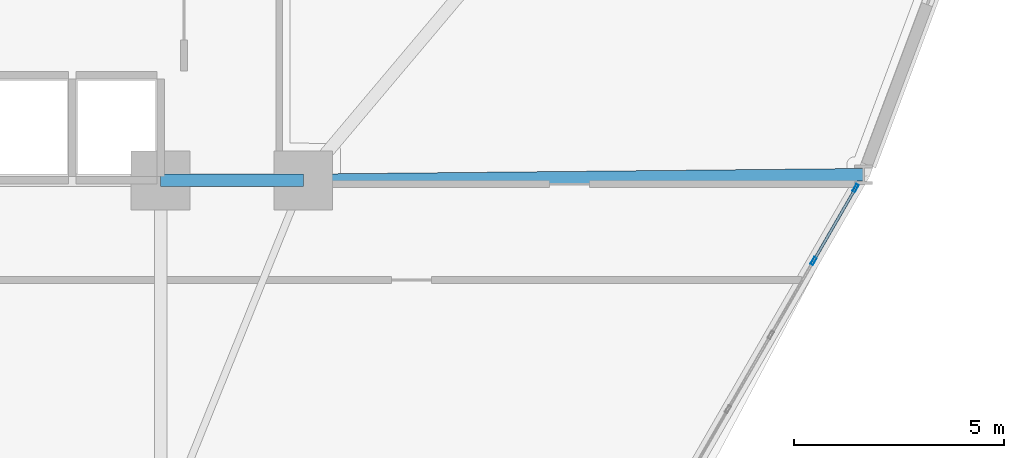
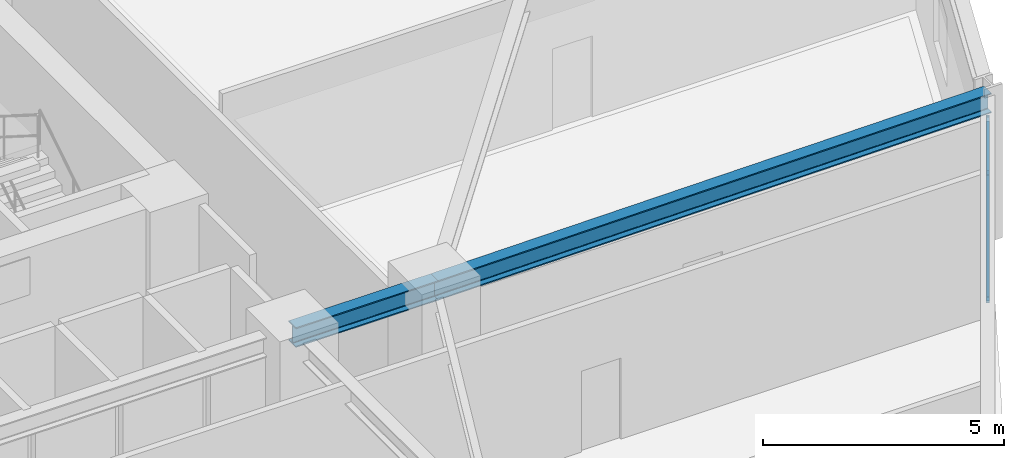
# One storey, part 8 of 20: 5 members, 2 beams, 1 element without a shape of its own.
"""IFC4 building model written with IfcOpenShell, lengths in metres."""

from ifc_helpers import new_model, si_unit, derived_unit, direction, frame, origin, origin_2d, place, context, subcontext, project, spatial, hollow_rectangle, i_section, extrude, source, transform, mapped, material, layer, layer_set, material_profile, profile_set, type_object, element, aggregate, save


model = new_model("IFC4")

# Units and contexts
model_context = context("Model", 3, precision=1e-05, world=origin(), true_north=direction((0.0, 1.0)))
body_context = subcontext(model_context, "Body", "Model", "MODEL_VIEW")
ifc_project = project(units=[si_unit("LENGTHUNIT", "METRE"), si_unit("AREAUNIT", "SQUARE_METRE"), si_unit("VOLUMEUNIT", "CUBIC_METRE"), si_unit("PLANEANGLEUNIT", "RADIAN"), si_unit("MASSUNIT", "GRAM", prefix="KILO"), derived_unit("THERMALTRANSMITTANCEUNIT", [(si_unit("POWERUNIT", "WATT"), 1), (si_unit("LENGTHUNIT", "METRE"), -2), (si_unit("THERMODYNAMICTEMPERATUREUNIT", "KELVIN"), -1)])], contexts=[model_context])

# Site, building, storey
site_placement = place(None, origin())
site = spatial("IfcSite", under=ifc_project, at=site_placement, CompositionType="ELEMENT")
building_placement = place(site_placement, origin())
building = spatial("IfcBuilding", under=site, at=building_placement, Name="Korsvarv Bourse and Concert Hall", CompositionType="ELEMENT")
storey_placement = place(building_placement, frame((0.0, 0.0, 79.5)))
storey = spatial("IfcBuildingStorey", under=building, at=storey_placement, Name="L19", CompositionType="ELEMENT", Elevation=79.5)

# Beams
ifc_material_1 = material(Name="Steel S355", Category="steel")
ifc_material_profile_1 = material_profile(ifc_material_1, i_section(OverallWidth=0.300048828125, OverallDepth=0.5, WebThickness=0.014404296875, FlangeThickness=0.028076171875, FilletRadius=0.02392578125, at=origin_2d()), Name="HEB 500")
ifc_profile_set_1 = profile_set([ifc_material_profile_1], Name="Steel S355")
beam_type = type_object("IfcBeamType", Name="BM-HEB500", PredefinedType="BEAM", material=ifc_profile_set_1)
shared_shape_1 = source(origin(), body_context, "Body", "SweptSolid", [
    extrude(i_section(OverallWidth=0.300048828125, OverallDepth=0.5, WebThickness=0.014404296875, FlangeThickness=0.028076171875, FilletRadius=0.02392578125, at=origin_2d()), origin(), (0.0, 0.0, 1.0), 3.400146484375),
])
beam_1_placement = place(storey_placement, frame((44.39990234375, 32.39990234375, 3.429931640625), z_axis=(1.0, 0.0, 0.0), x_axis=(0.0, 1.0, 0.0)))
element("IfcBeam", 1, at=beam_1_placement, inside=storey, type_object=beam_type, Name="L19 beam B-07", PredefinedType="BEAM", context=body_context, shape_type="MappedRepresentation", body=[
    mapped(shared_shape_1, transform((0.0, 0.0, 0.0), scale=1.0)),
])
shared_shape_2 = source(origin(), body_context, "Body", "SweptSolid", [
    extrude(i_section(OverallWidth=0.300048828125, OverallDepth=0.5, WebThickness=0.014404296875, FlangeThickness=0.028076171875, FilletRadius=0.02392578125, at=origin_2d()), origin(), (0.0, 0.0, 1.0), 13.341064453125),
])
beam_2_placement = place(storey_placement, frame((61.140380859375, 32.5341796875, 3.429931640625), z_axis=(-0.999949346529, -0.010065007514, 0.0), x_axis=(0.010065007514, -0.999949346529, 0.0)))
element("IfcBeam", 2, at=beam_2_placement, inside=storey, type_object=beam_type, Name="L19 beam B-07", PredefinedType="BEAM", context=body_context, shape_type="MappedRepresentation", body=[
    mapped(shared_shape_2, transform((0.0, 0.0, 0.0), scale=1.0)),
])

# Curtain wall, members
ifc_material_2 = material(Name="Anodised aluminium and triple low-E glazing", Category="glass")
ifc_layer = layer(ifc_material_2, 0.219970703125)
ifc_layer_set = layer_set([ifc_layer], Name="Anodised aluminium and triple low-E glazing")
curtain_wall_type = type_object("IfcCurtainWallType", Name="CW-SYS-1", PredefinedType="NOTDEFINED", material=ifc_layer_set)
curtain_wall_placement = place(storey_placement, origin())
curtain_wall = element("IfcCurtainWall", 3, at=curtain_wall_placement, inside=storey, type_object=curtain_wall_type, Name="L19 CW1 curtain wall CW-L19-F11", PredefinedType="NOTDEFINED")
ifc_material_3 = material(Name="Extruded aluminium EN AW-6063 T66", Category="aluminium")
ifc_material_profile_2 = material_profile(ifc_material_3, hollow_rectangle(XDim=0.070068359375, YDim=0.18994140625, WallThickness=0.0048828125, at=origin_2d()), Name="ALU-M 70x190")
ifc_profile_set_2 = profile_set([ifc_material_profile_2], Name="Extruded aluminium EN AW-6063 T66")
member_type_1 = type_object("IfcMemberType", Name="CWM-190", PredefinedType="MULLION", material=ifc_profile_set_2)
shared_shape_3 = source(origin(), body_context, "Body", "SweptSolid", [
    extrude(hollow_rectangle(XDim=0.070068359375, YDim=0.18994140625, WallThickness=0.0048828125, at=origin_2d()), origin(), (0.0, 0.0, 1.0), 3.22998046875),
])
member_1_placement = place(storey_placement, frame((59.955078125, 30.481201171875, 0.0), z_axis=(0.0, 0.0, 1.0), x_axis=(-0.866024243871, 0.500002009023, 0.0)))
member_1 = element("IfcMember", 4, at=member_1_placement, type_object=member_type_1, Name="CW1 mullion 7", PredefinedType="MULLION", context=body_context, shape_type="MappedRepresentation", body=[
    mapped(shared_shape_3, transform((0.0, 0.0, 0.0), scale=1.0)),
])
member_2_placement = place(storey_placement, frame((60.95703125, 32.216796875, 0.0), z_axis=(0.0, 0.0, 1.0), x_axis=(-0.866024243871, 0.500002009023, 0.0)))
member_2 = element("IfcMember", 5, at=member_2_placement, type_object=member_type_1, Name="CW1 mullion 8", PredefinedType="MULLION", context=body_context, shape_type="MappedRepresentation", body=[
    mapped(shared_shape_3, transform((0.0, 0.0, 0.0), scale=1.0)),
])
ifc_material_profile_3 = material_profile(ifc_material_3, hollow_rectangle(XDim=0.06494140625, YDim=0.139892578125, WallThickness=0.00390625, at=origin_2d()), Name="ALU-T 65x140")
ifc_profile_set_3 = profile_set([ifc_material_profile_3], Name="Extruded aluminium EN AW-6063 T66")
member_type_2 = type_object("IfcMemberType", Name="CWT-140", PredefinedType="USERDEFINED", material=ifc_profile_set_3)
shared_shape_4 = source(origin(), body_context, "Body", "SweptSolid", [
    extrude(hollow_rectangle(XDim=0.06494140625, YDim=0.139892578125, WallThickness=0.00390625, at=origin_2d()), origin(), (0.0, 0.0, 1.0), 1.934326171875),
])
member_3_placement = place(storey_placement, frame((59.972412109375, 30.511474609375, 0.032470703125), z_axis=(0.500075710248, 0.86598168804, 0.0), x_axis=(-0.86598168804, 0.500075710248, 0.0)))
member_3 = element("IfcMember", 6, at=member_3_placement, type_object=member_type_2, Name="CW1 transom 7.1", ObjectType="TRANSOM", PredefinedType="USERDEFINED", context=body_context, shape_type="MappedRepresentation", body=[
    mapped(shared_shape_4, transform((0.0, 0.0, 0.0), scale=1.0)),
])
member_4_placement = place(storey_placement, frame((59.972412109375, 30.511474609375, 3.197509765625), z_axis=(0.500075710248, 0.86598168804, 0.0), x_axis=(-0.86598168804, 0.500075710248, 0.0)))
member_4 = element("IfcMember", 7, at=member_4_placement, type_object=member_type_2, Name="CW1 transom 7.2", ObjectType="TRANSOM", PredefinedType="USERDEFINED", context=body_context, shape_type="MappedRepresentation", body=[
    mapped(shared_shape_4, transform((0.0, 0.0, 0.0), scale=1.0)),
])
ifc_material_profile_4 = material_profile(ifc_material_3, hollow_rectangle(XDim=0.06494140625, YDim=0.1650390625, WallThickness=0.0048828125, at=origin_2d()), Name="ALU-M 65x165")
ifc_profile_set_4 = profile_set([ifc_material_profile_4], Name="Extruded aluminium EN AW-6063 T66")
member_type_3 = type_object("IfcMemberType", Name="CWM-165", PredefinedType="MULLION", material=ifc_profile_set_4)
shared_shape_5 = source(origin(), body_context, "Body", "SweptSolid", [
    extrude(hollow_rectangle(XDim=0.06494140625, YDim=0.1650390625, WallThickness=0.0048828125, at=origin_2d()), origin(), (0.0, 0.0, 1.0), 3.654052734375),
])
member_5_placement = place(storey_placement, frame((59.972412109375, 30.511474609375, 0.06494140625), z_axis=(0.26471636965, 0.458409644666, 0.848401933824), x_axis=(-0.86598168804, 0.500075710248, 0.0)))
member_5 = element("IfcMember", 8, at=member_5_placement, type_object=member_type_3, Name="CW1 diagonal mullion 7", PredefinedType="MULLION", context=body_context, shape_type="MappedRepresentation", body=[
    mapped(shared_shape_5, transform((0.0, 0.0, 0.0), scale=1.0)),
])
aggregate(curtain_wall, [member_1, member_2, member_3, member_4, member_5])

save(model, "model.ifc")
